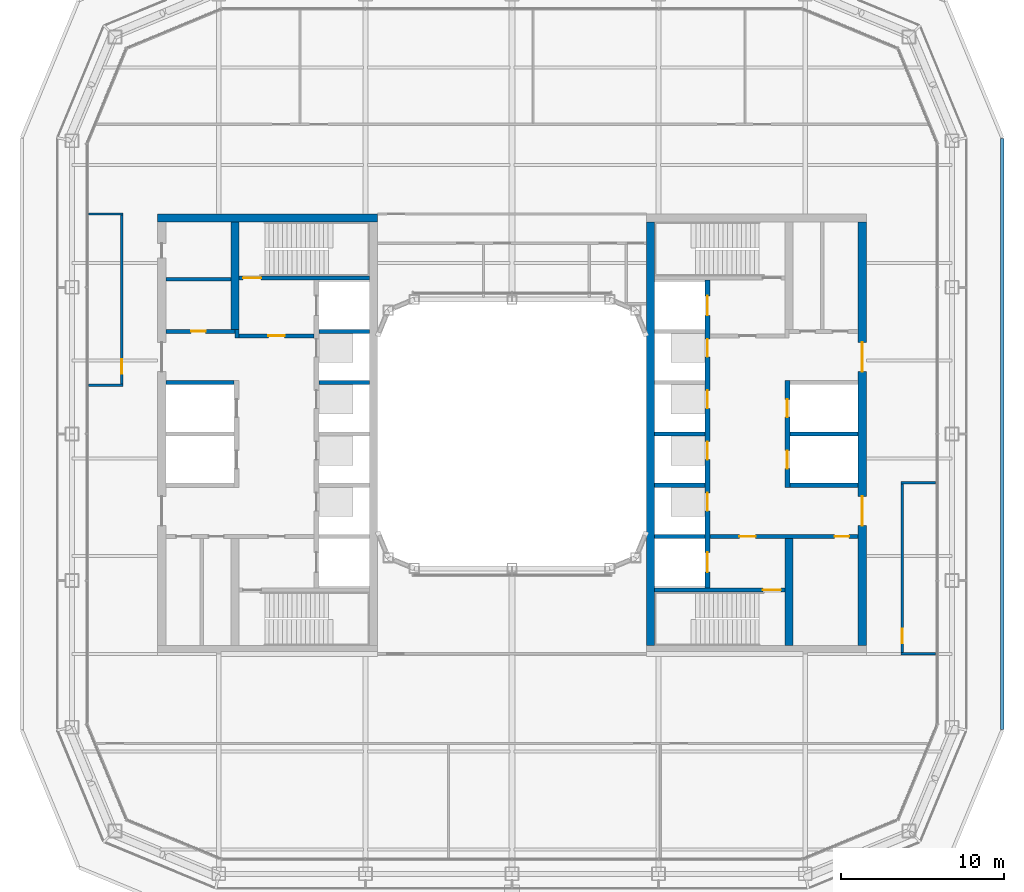
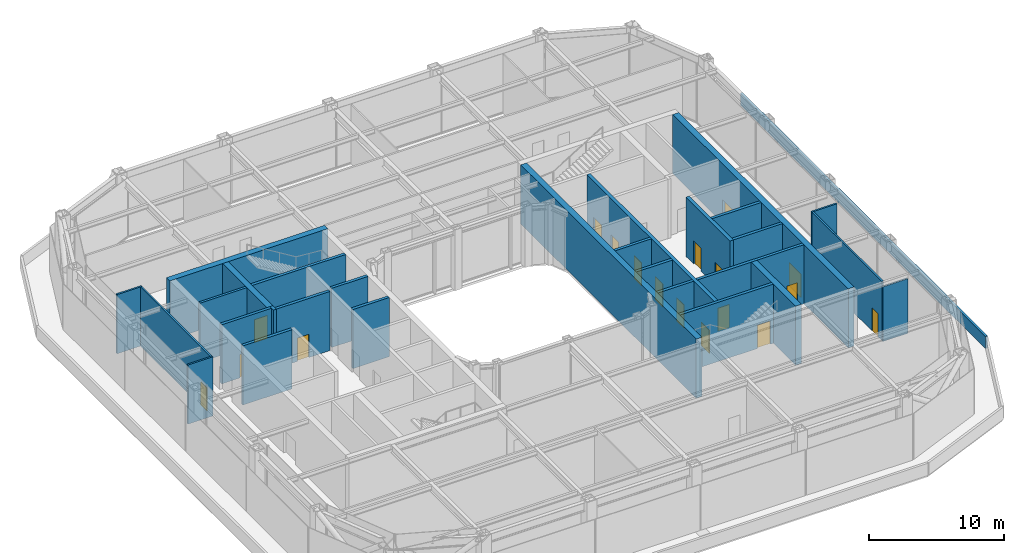
# One storey, part 12 of 19: 29 walls, 18 doors, 18 openings.
"""IFC4 building model written with IfcOpenShell, lengths in metres."""

from ifc_helpers import new_model, si_unit, direction, frame, frame_2d, origin, place, context, subcontext, project, spatial, rectangle, extrude, material, layer, layer_set, type_object, element, fill, save


model = new_model("IFC4")

# Units and contexts
model_context = context("Model", 3, precision=1e-05, world=origin(), true_north=direction((0.0, 1.0)))
body_context = subcontext(model_context, "Body", "Model", "MODEL_VIEW")
ifc_project = project(units=[si_unit("LENGTHUNIT", "METRE"), si_unit("AREAUNIT", "SQUARE_METRE"), si_unit("VOLUMEUNIT", "CUBIC_METRE"), si_unit("PLANEANGLEUNIT", "RADIAN"), si_unit("MASSUNIT", "GRAM", prefix="KILO")], contexts=[model_context])

# Site, building, storey
site_placement = place(None, origin())
site = spatial("IfcSite", under=ifc_project, at=site_placement, CompositionType="ELEMENT")
building_placement = place(site_placement, origin())
building = spatial("IfcBuilding", under=site, at=building_placement, Name="Siwar Civic Tower", CompositionType="ELEMENT")
storey_placement = place(building_placement, frame((0.0, 0.0, 187.199951171875)))
storey = spatial("IfcBuildingStorey", under=building, at=storey_placement, Name="L40", CompositionType="ELEMENT", Elevation=187.199951171875)

# Walls
ifc_material_1 = material(Name="Gypsum board on steel studs", Category="steel")
ifc_layer_1 = layer(ifc_material_1, 0.14990234375)
ifc_layer_set_1 = layer_set([ifc_layer_1], Name="Gypsum board on steel studs")
wall_type_1 = type_object("IfcWallType", Name="COMPARTMENT PARTITION 150 EI 60", PredefinedType="PARTITIONING", material=ifc_layer_set_1)
wall_1_placement = place(storey_placement, frame((23.875, -13.5, 0.0), z_axis=(0.0, 0.0, 1.0), x_axis=(1.0, 0.0, 0.0)))
element("IfcWall", 1, at=wall_1_placement, inside=storey, type_object=wall_type_1, Name="L40/wall/P03", PredefinedType="PARTITIONING", context=body_context, shape_type="SweptSolid", body=[
    extrude(rectangle(XDim=2.135009765625, YDim=0.14990234375, at=frame_2d((1.0673828125, 0.0))), origin(), (0.0, 0.0, 1.0), 4.949951171875),
])
for number, where, z_axis, x_axis, name in (
    (2, (23.875, -3.0, 0.0), (0.0, 0.0, 1.0), (1.0, 0.0, 0.0), "L40/wall/P04"),
    (3, (-26.010009765625, 3.0, 0.0), (0.0, 0.0, 1.0), (1.0, 0.0, 0.0), "L40/wall/P05"),
    (4, (-26.010009765625, 13.5, 0.0), (0.0, 0.0, 1.0), (1.0, 0.0, 0.0), "L40/wall/P10"),
):
    element("IfcWall", number, at=place(storey_placement, frame(where, z_axis=z_axis, x_axis=x_axis)), inside=storey, type_object=wall_type_1, Name=name, PredefinedType="PARTITIONING", context=body_context, shape_type="SweptSolid", body=[
        extrude(rectangle(XDim=2.135009765625, YDim=0.14990234375, at=frame_2d((1.0673828125, 0.0))), origin(), (0.0, 0.0, 1.0), 5.35009765625),
    ])

# Wall, opening, door
wall_2_placement = place(storey_placement, frame((-23.949951171875, 3.074951171875, 0.0), z_axis=(0.0, 0.0, 1.0), x_axis=(0.0, 1.0, 0.0)))
wall_2 = element("IfcWall", 5, at=wall_2_placement, inside=storey, type_object=wall_type_1, Name="L40/wall/P12", PredefinedType="PARTITIONING", context=body_context, shape_type="SweptSolid", body=[
    extrude(rectangle(XDim=10.35009765625, YDim=0.14990234375, at=frame_2d((5.175048828125, 0.0))), origin(), (0.0, 0.0, 1.0), 5.35009765625),
])
opening_1_placement = place(wall_2_placement, frame((0.625, 0.0, 0.0)))
opening_1 = element("IfcOpeningElement", 6, at=opening_1_placement, cuts=wall_2, Name="Opening D4", PredefinedType="OPENING", context=body_context, shape_type="SweptSolid", body=[
    extrude(rectangle(XDim=0.89990234375, YDim=2.10009765625, at=frame_2d((0.449951171875, 1.050048828125))), frame((0.0, 0.0849609375, 0.0), z_axis=(0.0, -1.0, 0.0), x_axis=(1.0, 0.0, 0.0)), (0.0, 0.0, 1.0), 0.169921875),
])
ifc_material_2 = material(Name="Timber, painted", Category="wood")
door_type_1 = type_object("IfcDoorType", Name="DOOR 900 X 2100 FD60", OperationType="SINGLE_SWING_LEFT", PredefinedType="DOOR", material=ifc_material_2)
door_1_placement = place(opening_1_placement, origin())
door_1 = element("IfcDoor", 7, at=door_1_placement, inside=storey, type_object=door_type_1, Name="L40-D14", OperationType="SINGLE_SWING_RIGHT", OverallHeight=2.10009765625, OverallWidth=0.89990234375, PredefinedType="DOOR", context=body_context, shape_type="SweptSolid", body=[
    extrude(rectangle(XDim=0.89990234375, YDim=2.10009765625, at=frame_2d((0.449951171875, 1.050048828125))), frame((0.0, 0.02490234375, 0.0), z_axis=(0.0, -1.0, 0.0), x_axis=(1.0, 0.0, 0.0)), (0.0, 0.0, 1.0), 0.050048828125),
])
fill(opening_1, door_1)

wall_3_placement = place(storey_placement, frame((23.949951171875, -13.425048828125, 0.0), z_axis=(0.0, 0.0, 1.0), x_axis=(0.0, 1.0, 0.0)))
wall_3 = element("IfcWall", 8, at=wall_3_placement, inside=storey, type_object=wall_type_1, Name="L40/wall/P21", PredefinedType="PARTITIONING", context=body_context, shape_type="SweptSolid", body=[
    extrude(rectangle(XDim=10.35009765625, YDim=0.14990234375, at=frame_2d((5.175048828125, 0.0))), origin(), (0.0, 0.0, 1.0), 5.35009765625),
])
opening_2_placement = place(wall_3_placement, frame((0.574951171875, 0.0, 0.0)))
opening_2 = element("IfcOpeningElement", 9, at=opening_2_placement, cuts=wall_3, Name="Opening D4", PredefinedType="OPENING", context=body_context, shape_type="SweptSolid", body=[
    extrude(rectangle(XDim=0.89990234375, YDim=2.10009765625, at=frame_2d((0.449951171875, 1.050048828125))), frame((0.0, 0.0849609375, 0.0), z_axis=(0.0, -1.0, 0.0), x_axis=(1.0, 0.0, 0.0)), (0.0, 0.0, 1.0), 0.169921875),
])
door_2_placement = place(opening_2_placement, origin())
door_2 = element("IfcDoor", 10, at=door_2_placement, inside=storey, type_object=door_type_1, Name="L40-D15", OperationType="SINGLE_SWING_LEFT", OverallHeight=2.10009765625, OverallWidth=0.89990234375, PredefinedType="DOOR", context=body_context, shape_type="SweptSolid", body=[
    extrude(rectangle(XDim=0.89990234375, YDim=2.10009765625, at=frame_2d((0.449951171875, 1.050048828125))), frame((0.0, 0.02490234375, 0.0), z_axis=(0.0, -1.0, 0.0), x_axis=(1.0, 0.0, 0.0)), (0.0, 0.0, 1.0), 0.050048828125),
])
fill(opening_2, door_2)

# Wall
ifc_material_3 = material(Name="Gypsum board on steel studs", Category="steel")
ifc_layer_2 = layer(ifc_material_3, 0.199951171875)
ifc_layer_set_2 = layer_set([ifc_layer_2], Name="Gypsum board on steel studs")
wall_type_2 = type_object("IfcWallType", Name="CORE-PARTITION-200", PredefinedType="PARTITIONING", material=ifc_layer_set_2)
wall_4_placement = place(storey_placement, frame((-17.25, 9.5, 0.0), z_axis=(0.0, 0.0, 1.0), x_axis=(-1.0, 0.0, 0.0)))
element("IfcWall", 11, at=wall_4_placement, inside=storey, type_object=wall_type_2, Name="Core partition W", PredefinedType="PARTITIONING", context=body_context, shape_type="SweptSolid", body=[
    extrude(rectangle(XDim=4.0, YDim=0.199951171875, at=frame_2d((2.0, 0.0))), origin(), (0.0, 0.0, 1.0), 5.35009765625),
])

# Wall, opening, door
ifc_material_4 = material(Name="Concrete C60/75", Category="concrete")
ifc_layer_3 = layer(ifc_material_4, 0.25)
ifc_layer_set_3 = layer_set([ifc_layer_3], Name="Concrete C60/75")
wall_type_3 = type_object("IfcWallType", Name="CORE-WALL-RC250", PredefinedType="SHEAR", material=ifc_layer_set_3)
wall_5_placement = place(storey_placement, frame((-12.14990234375, 6.02490234375, 0.0), z_axis=(0.0, 0.0, 1.0), x_axis=(-1.0, 0.0, 0.0)))
wall_5 = element("IfcWall", 12, at=wall_5_placement, inside=storey, type_object=wall_type_3, Name="Core wall W", PredefinedType="SHEAR", context=body_context, shape_type="SweptSolid", body=[
    extrude(rectangle(XDim=4.60009765625, YDim=0.25, at=frame_2d((2.300048828125, 0.0))), origin(), (0.0, 0.0, 1.0), 5.35009765625),
])
opening_3_placement = place(wall_5_placement, frame((1.800048828125, 0.0, 0.0)))
opening_3 = element("IfcOpeningElement", 13, at=opening_3_placement, cuts=wall_5, Name="Opening L40-CW01", PredefinedType="OPENING", context=body_context, shape_type="SweptSolid", body=[
    extrude(rectangle(XDim=1.0, YDim=2.10009765625, at=frame_2d((0.5, 1.050048828125))), frame((0.0, 0.135009765625, 0.0), z_axis=(0.0, -1.0, 0.0), x_axis=(1.0, 0.0, 0.0)), (0.0, 0.0, 1.0), 0.27001953125),
])
ifc_material_5 = material(Name="Steel door leaf", Category="steel")
door_type_2 = type_object("IfcDoorType", Name="CORE-DOOR-FD30S", OperationType="SINGLE_SWING_LEFT", PredefinedType="DOOR", material=ifc_material_5)
door_3_placement = place(opening_3_placement, origin())
door_3 = element("IfcDoor", 14, at=door_3_placement, inside=storey, type_object=door_type_2, Name="Firefighting lobby door L40-CW01", OperationType="SINGLE_SWING_LEFT", OverallHeight=2.10009765625, OverallWidth=1.0, PredefinedType="DOOR", context=body_context, shape_type="SweptSolid", body=[
    extrude(rectangle(XDim=1.0, YDim=2.10009765625, at=frame_2d((0.5, 1.050048828125))), frame((0.0, 0.02490234375, 0.0), z_axis=(0.0, -1.0, 0.0), x_axis=(1.0, 0.0, 0.0)), (0.0, 0.0, 1.0), 0.050048828125),
])
fill(opening_3, door_3)

# Wall
wall_6_placement = place(storey_placement, frame((-16.875, 5.89990234375, 0.0), z_axis=(0.0, 0.0, 1.0), x_axis=(0.0, 1.0, 0.0)))
element("IfcWall", 15, at=wall_6_placement, inside=storey, type_object=wall_type_3, Name="Core wall W", PredefinedType="SHEAR", context=body_context, shape_type="SweptSolid", body=[
    extrude(rectangle(XDim=0.525146484375, YDim=0.25, at=frame_2d((0.2626953125, 0.0))), origin(), (0.0, 0.0, 1.0), 5.35009765625),
])

# Wall, opening, door
wall_7_placement = place(storey_placement, frame((-17.0, 6.300048828125, 0.0), z_axis=(0.0, 0.0, 1.0), x_axis=(-1.0, 0.0, 0.0)))
wall_7 = element("IfcWall", 16, at=wall_7_placement, inside=storey, type_object=wall_type_3, Name="Core wall W", PredefinedType="SHEAR", context=body_context, shape_type="SweptSolid", body=[
    extrude(rectangle(XDim=4.25, YDim=0.25, at=frame_2d((2.125, 0.0))), origin(), (0.0, 0.0, 1.0), 5.35009765625),
])
opening_4_placement = place(wall_7_placement, frame((1.800048828125, 0.0, 0.0)))
opening_4 = element("IfcOpeningElement", 17, at=opening_4_placement, cuts=wall_7, Name="Opening L40-CW15", PredefinedType="OPENING", context=body_context, shape_type="SweptSolid", body=[
    extrude(rectangle(XDim=0.89990234375, YDim=2.10009765625, at=frame_2d((0.449951171875, 1.050048828125))), frame((0.0, 0.135009765625, 0.0), z_axis=(0.0, -1.0, 0.0), x_axis=(1.0, 0.0, 0.0)), (0.0, 0.0, 1.0), 0.27001953125),
])
ifc_material_6 = material(Name="Steel door leaf", Category="steel")
door_type_3 = type_object("IfcDoorType", Name="CORE-DOOR-ROOM", OperationType="SINGLE_SWING_LEFT", PredefinedType="DOOR", material=ifc_material_6)
door_4_placement = place(opening_4_placement, origin())
door_4 = element("IfcDoor", 18, at=door_4_placement, inside=storey, type_object=door_type_3, Name="Core room door L40-CW15", OperationType="SINGLE_SWING_LEFT", OverallHeight=2.10009765625, OverallWidth=0.89990234375, PredefinedType="DOOR", context=body_context, shape_type="SweptSolid", body=[
    extrude(rectangle(XDim=0.89990234375, YDim=2.10009765625, at=frame_2d((0.449951171875, 1.050048828125))), frame((0.0, 0.02490234375, 0.0), z_axis=(0.0, -1.0, 0.0), x_axis=(1.0, 0.0, 0.0)), (0.0, 0.0, 1.0), 0.050048828125),
])
fill(opening_4, door_4)

# Walls
wall_8_placement = place(storey_placement, frame((-17.050048828125, 3.14990234375, 0.0), z_axis=(0.0, 0.0, 1.0), x_axis=(-1.0, 0.0, 0.0)))
element("IfcWall", 19, at=wall_8_placement, inside=storey, type_object=wall_type_3, Name="Core wall W", PredefinedType="SHEAR", context=body_context, shape_type="SweptSolid", body=[
    extrude(rectangle(XDim=4.199951171875, YDim=0.25, at=frame_2d((2.10009765625, 0.0))), origin(), (0.0, 0.0, 1.0), 5.35009765625),
])
for number, where, z_axis, x_axis, name in (
    (20, (-8.75, 3.14990234375, 0.0), (0.0, 0.0, 1.0), (-1.0, 0.0, 0.0), "Core wall W"),
    (21, (-8.75, 6.300048828125, 0.0), (0.0, 0.0, 1.0), (-1.0, 0.0, 0.0), "Core wall W"),
):
    element("IfcWall", number, at=place(storey_placement, frame(where, z_axis=z_axis, x_axis=x_axis)), inside=storey, type_object=wall_type_3, Name=name, PredefinedType="SHEAR", context=body_context, shape_type="SweptSolid", body=[
        extrude(rectangle(XDim=3.10009765625, YDim=0.25, at=frame_2d((1.550048828125, 0.0))), origin(), (0.0, 0.0, 1.0), 5.35009765625),
    ])

# Wall, opening, door
wall_9_placement = place(storey_placement, frame((-8.75, 9.574951171875, 0.0), z_axis=(0.0, 0.0, 1.0), x_axis=(-1.0, 0.0, 0.0)))
wall_9 = element("IfcWall", 22, at=wall_9_placement, inside=storey, type_object=wall_type_3, Name="Core wall W", PredefinedType="SHEAR", context=body_context, shape_type="SweptSolid", body=[
    extrude(rectangle(XDim=8.0, YDim=0.25, at=frame_2d((4.0, 0.0))), origin(), (0.0, 0.0, 1.0), 5.35009765625),
])
opening_5_placement = place(wall_9_placement, frame((6.64990234375, 0.0, 0.0)))
opening_5 = element("IfcOpeningElement", 23, at=opening_5_placement, cuts=wall_9, Name="Opening L40-CW03", PredefinedType="OPENING", context=body_context, shape_type="SweptSolid", body=[
    extrude(rectangle(XDim=1.10009765625, YDim=2.10009765625, at=frame_2d((0.550048828125, 1.050048828125))), frame((0.0, 0.135009765625, 0.0), z_axis=(0.0, -1.0, 0.0), x_axis=(1.0, 0.0, 0.0)), (0.0, 0.0, 1.0), 0.27001953125),
])
ifc_material_7 = material(Name="Steel door leaf", Category="steel")
door_type_4 = type_object("IfcDoorType", Name="CORE-DOOR-FD60S", OperationType="SINGLE_SWING_LEFT", PredefinedType="DOOR", material=ifc_material_7)
door_5_placement = place(opening_5_placement, origin())
door_5 = element("IfcDoor", 24, at=door_5_placement, inside=storey, type_object=door_type_4, Name="Stair door L40-CW03", OperationType="SINGLE_SWING_RIGHT", OverallHeight=2.10009765625, OverallWidth=1.10009765625, PredefinedType="DOOR", context=body_context, shape_type="SweptSolid", body=[
    extrude(rectangle(XDim=1.10009765625, YDim=2.10009765625, at=frame_2d((0.550048828125, 1.050048828125))), frame((0.0, 0.02490234375, 0.0), z_axis=(0.0, -1.0, 0.0), x_axis=(1.0, 0.0, 0.0)), (0.0, 0.0, 1.0), 0.050048828125),
])
fill(opening_5, door_5)

# Wall, openings, doors
wall_10_placement = place(storey_placement, frame((12.14990234375, -6.300048828125, 0.0), z_axis=(0.0, 0.0, 1.0), x_axis=(1.0, 0.0, 0.0)))
wall_10 = element("IfcWall", 25, at=wall_10_placement, inside=storey, type_object=wall_type_3, Name="Core wall E", PredefinedType="SHEAR", context=body_context, shape_type="SweptSolid", body=[
    extrude(rectangle(XDim=9.10009765625, YDim=0.25, at=frame_2d((4.550048828125, 0.0))), origin(), (0.0, 0.0, 1.0), 5.35009765625),
])
opening_6_placement = place(wall_10_placement, frame((1.800048828125, 0.0, 0.0)))
opening_6 = element("IfcOpeningElement", 26, at=opening_6_placement, cuts=wall_10, Name="Opening L40-CE02", PredefinedType="OPENING", context=body_context, shape_type="SweptSolid", body=[
    extrude(rectangle(XDim=1.0, YDim=2.10009765625, at=frame_2d((0.5, 1.050048828125))), frame((0.0, 0.135009765625, 0.0), z_axis=(0.0, -1.0, 0.0), x_axis=(1.0, 0.0, 0.0)), (0.0, 0.0, 1.0), 0.27001953125),
])
opening_7_placement = place(wall_10_placement, frame((7.64990234375, 0.0, 0.0)))
opening_7 = element("IfcOpeningElement", 27, at=opening_7_placement, cuts=wall_10, Name="Opening L40-CE17", PredefinedType="OPENING", context=body_context, shape_type="SweptSolid", body=[
    extrude(rectangle(XDim=0.89990234375, YDim=2.10009765625, at=frame_2d((0.449951171875, 1.050048828125))), frame((0.0, 0.135009765625, 0.0), z_axis=(0.0, -1.0, 0.0), x_axis=(1.0, 0.0, 0.0)), (0.0, 0.0, 1.0), 0.27001953125),
])
door_6_placement = place(opening_6_placement, origin())
door_6 = element("IfcDoor", 28, at=door_6_placement, inside=storey, type_object=door_type_2, Name="Service lobby door L40-CE02", OperationType="SINGLE_SWING_LEFT", OverallHeight=2.10009765625, OverallWidth=1.0, PredefinedType="DOOR", context=body_context, shape_type="SweptSolid", body=[
    extrude(rectangle(XDim=1.0, YDim=2.10009765625, at=frame_2d((0.5, 1.050048828125))), frame((0.0, 0.02490234375, 0.0), z_axis=(0.0, -1.0, 0.0), x_axis=(1.0, 0.0, 0.0)), (0.0, 0.0, 1.0), 0.050048828125),
])
fill(opening_6, door_6)
door_7_placement = place(opening_7_placement, origin())
door_7 = element("IfcDoor", 29, at=door_7_placement, inside=storey, type_object=door_type_3, Name="Core room door L40-CE17", OperationType="SINGLE_SWING_RIGHT", OverallHeight=2.10009765625, OverallWidth=0.89990234375, PredefinedType="DOOR", context=body_context, shape_type="SweptSolid", body=[
    extrude(rectangle(XDim=0.89990234375, YDim=2.10009765625, at=frame_2d((0.449951171875, 1.050048828125))), frame((0.0, 0.02490234375, 0.0), z_axis=(0.0, -1.0, 0.0), x_axis=(1.0, 0.0, 0.0)), (0.0, 0.0, 1.0), 0.050048828125),
])
fill(opening_7, door_7)

# Walls
for number, where, z_axis, x_axis, name in (
    (30, (17.050048828125, 0.0, 0.0), (0.0, 0.0, 1.0), (1.0, 0.0, 0.0), "Core wall E"),
    (31, (17.050048828125, -3.14990234375, 0.0), (0.0, 0.0, 1.0), (1.0, 0.0, 0.0), "Core wall E"),
):
    element("IfcWall", number, at=place(storey_placement, frame(where, z_axis=z_axis, x_axis=x_axis)), inside=storey, type_object=wall_type_3, Name=name, PredefinedType="SHEAR", context=body_context, shape_type="SweptSolid", body=[
        extrude(rectangle(XDim=4.199951171875, YDim=0.25, at=frame_2d((2.10009765625, 0.0))), origin(), (0.0, 0.0, 1.0), 5.35009765625),
    ])
for number, where, z_axis, x_axis, name in (
    (32, (8.75, 0.0, 0.0), (0.0, 0.0, 1.0), (1.0, 0.0, 0.0), "Core wall E"),
    (33, (8.75, -3.14990234375, 0.0), (0.0, 0.0, 1.0), (1.0, 0.0, 0.0), "Core wall E"),
    (34, (8.75, -6.300048828125, 0.0), (0.0, 0.0, 1.0), (1.0, 0.0, 0.0), "Core wall E"),
):
    element("IfcWall", number, at=place(storey_placement, frame(where, z_axis=z_axis, x_axis=x_axis)), inside=storey, type_object=wall_type_3, Name=name, PredefinedType="SHEAR", context=body_context, shape_type="SweptSolid", body=[
        extrude(rectangle(XDim=3.10009765625, YDim=0.25, at=frame_2d((1.550048828125, 0.0))), origin(), (0.0, 0.0, 1.0), 5.35009765625),
    ])

# Wall, opening, door
wall_11_placement = place(storey_placement, frame((8.75, -9.574951171875, 0.0), z_axis=(0.0, 0.0, 1.0), x_axis=(1.0, 0.0, 0.0)))
wall_11 = element("IfcWall", 35, at=wall_11_placement, inside=storey, type_object=wall_type_3, Name="Core wall E", PredefinedType="SHEAR", context=body_context, shape_type="SweptSolid", body=[
    extrude(rectangle(XDim=8.0, YDim=0.25, at=frame_2d((4.0, 0.0))), origin(), (0.0, 0.0, 1.0), 5.35009765625),
])
opening_8_placement = place(wall_11_placement, frame((6.64990234375, 0.0, 0.0)))
opening_8 = element("IfcOpeningElement", 36, at=opening_8_placement, cuts=wall_11, Name="Opening L40-CE04", PredefinedType="OPENING", context=body_context, shape_type="SweptSolid", body=[
    extrude(rectangle(XDim=1.10009765625, YDim=2.10009765625, at=frame_2d((0.550048828125, 1.050048828125))), frame((0.0, 0.135009765625, 0.0), z_axis=(0.0, -1.0, 0.0), x_axis=(1.0, 0.0, 0.0)), (0.0, 0.0, 1.0), 0.27001953125),
])
door_8_placement = place(opening_8_placement, origin())
door_8 = element("IfcDoor", 37, at=door_8_placement, inside=storey, type_object=door_type_4, Name="Stair door L40-CE04", OperationType="SINGLE_SWING_RIGHT", OverallHeight=2.10009765625, OverallWidth=1.10009765625, PredefinedType="DOOR", context=body_context, shape_type="SweptSolid", body=[
    extrude(rectangle(XDim=1.10009765625, YDim=2.10009765625, at=frame_2d((0.550048828125, 1.050048828125))), frame((0.0, 0.02490234375, 0.0), z_axis=(0.0, -1.0, 0.0), x_axis=(1.0, 0.0, 0.0)), (0.0, 0.0, 1.0), 0.050048828125),
])
fill(opening_8, door_8)

# Wall, openings, doors
ifc_material_8 = material(Name="Concrete C60/75", Category="concrete")
ifc_layer_4 = layer(ifc_material_8, 0.300048828125)
ifc_layer_set_4 = layer_set([ifc_layer_4], Name="Concrete C60/75")
wall_type_4 = type_object("IfcWallType", Name="CORE-WALL-RC300", PredefinedType="SHEAR", material=ifc_layer_set_4)
wall_12_placement = place(storey_placement, frame((12.0, -9.449951171875, 0.0), z_axis=(0.0, 0.0, 1.0), x_axis=(0.0, 1.0, 0.0)))
wall_12 = element("IfcWall", 38, at=wall_12_placement, inside=storey, type_object=wall_type_4, Name="Core wall E", PredefinedType="SHEAR", context=body_context, shape_type="SweptSolid", body=[
    extrude(rectangle(XDim=18.89990234375, YDim=0.300048828125, at=frame_2d((9.449951171875, 0.0))), origin(), (0.0, 0.0, 1.0), 5.35009765625),
])
opening_9_placement = place(wall_12_placement, frame((4.72509765625, 0.0, 0.0)))
opening_9 = element("IfcOpeningElement", 39, at=opening_9_placement, cuts=wall_12, Name="Opening L40-CE07", PredefinedType="OPENING", context=body_context, shape_type="SweptSolid", body=[
    extrude(rectangle(XDim=1.10009765625, YDim=2.10009765625, at=frame_2d((0.550048828125, 1.050048828125))), frame((0.0, 0.16015625, 0.0), z_axis=(0.0, -1.0, 0.0), x_axis=(1.0, 0.0, 0.0)), (0.0, 0.0, 1.0), 0.320068359375),
])
opening_10_placement = place(wall_12_placement, frame((7.875, 0.0, 0.0)))
opening_10 = element("IfcOpeningElement", 40, at=opening_10_placement, cuts=wall_12, Name="Opening L40-CE08", PredefinedType="OPENING", context=body_context, shape_type="SweptSolid", body=[
    extrude(rectangle(XDim=1.10009765625, YDim=2.10009765625, at=frame_2d((0.550048828125, 1.050048828125))), frame((0.0, 0.16015625, 0.0), z_axis=(0.0, -1.0, 0.0), x_axis=(1.0, 0.0, 0.0)), (0.0, 0.0, 1.0), 0.320068359375),
])
opening_11_placement = place(wall_12_placement, frame((11.02490234375, 0.0, 0.0)))
opening_11 = element("IfcOpeningElement", 41, at=opening_11_placement, cuts=wall_12, Name="Opening L40-CE09", PredefinedType="OPENING", context=body_context, shape_type="SweptSolid", body=[
    extrude(rectangle(XDim=1.10009765625, YDim=2.10009765625, at=frame_2d((0.550048828125, 1.050048828125))), frame((0.0, 0.16015625, 0.0), z_axis=(0.0, -1.0, 0.0), x_axis=(1.0, 0.0, 0.0)), (0.0, 0.0, 1.0), 0.320068359375),
])
opening_12_placement = place(wall_12_placement, frame((14.175048828125, 0.0, 0.0)))
opening_12 = element("IfcOpeningElement", 42, at=opening_12_placement, cuts=wall_12, Name="Opening L40-CE10", PredefinedType="OPENING", context=body_context, shape_type="SweptSolid", body=[
    extrude(rectangle(XDim=1.10009765625, YDim=2.10009765625, at=frame_2d((0.550048828125, 1.050048828125))), frame((0.0, 0.16015625, 0.0), z_axis=(0.0, -1.0, 0.0), x_axis=(1.0, 0.0, 0.0)), (0.0, 0.0, 1.0), 0.320068359375),
])
opening_13_placement = place(wall_12_placement, frame((16.72509765625, 0.0, 0.0)))
opening_13 = element("IfcOpeningElement", 43, at=opening_13_placement, cuts=wall_12, Name="Opening L40-CE13", PredefinedType="OPENING", context=body_context, shape_type="SweptSolid", body=[
    extrude(rectangle(XDim=1.199951171875, YDim=2.10009765625, at=frame_2d((0.60009765625, 1.050048828125))), frame((0.0, 0.16015625, 0.0), z_axis=(0.0, -1.0, 0.0), x_axis=(1.0, 0.0, 0.0)), (0.0, 0.0, 1.0), 0.320068359375),
])
opening_14_placement = place(wall_12_placement, frame((0.97509765625, 0.0, 0.0)))
opening_14 = element("IfcOpeningElement", 44, at=opening_14_placement, cuts=wall_12, Name="Opening L40-CE14", PredefinedType="OPENING", context=body_context, shape_type="SweptSolid", body=[
    extrude(rectangle(XDim=1.199951171875, YDim=2.10009765625, at=frame_2d((0.60009765625, 1.050048828125))), frame((0.0, 0.16015625, 0.0), z_axis=(0.0, -1.0, 0.0), x_axis=(1.0, 0.0, 0.0)), (0.0, 0.0, 1.0), 0.320068359375),
])
ifc_material_9 = material(Name="Steel door leaf", Category="steel")
door_type_5 = type_object("IfcDoorType", Name="CORE-DOOR-LD", OperationType="DOUBLE_DOOR_SLIDING", PredefinedType="DOOR", material=ifc_material_9)
door_9_placement = place(opening_9_placement, origin())
door_9 = element("IfcDoor", 45, at=door_9_placement, inside=storey, type_object=door_type_5, Name="Landing door HR5 L40-CE07", OperationType="DOUBLE_DOOR_SLIDING", OverallHeight=2.10009765625, OverallWidth=1.10009765625, PredefinedType="DOOR", context=body_context, shape_type="SweptSolid", body=[
    extrude(rectangle(XDim=1.10009765625, YDim=2.10009765625, at=frame_2d((0.550048828125, 1.050048828125))), frame((0.0, 0.02490234375, 0.0), z_axis=(0.0, -1.0, 0.0), x_axis=(1.0, 0.0, 0.0)), (0.0, 0.0, 1.0), 0.050048828125),
])
fill(opening_9, door_9)
door_10_placement = place(opening_10_placement, origin())
door_10 = element("IfcDoor", 46, at=door_10_placement, inside=storey, type_object=door_type_5, Name="Landing door HR6 L40-CE08", OperationType="DOUBLE_DOOR_SLIDING", OverallHeight=2.10009765625, OverallWidth=1.10009765625, PredefinedType="DOOR", context=body_context, shape_type="SweptSolid", body=[
    extrude(rectangle(XDim=1.10009765625, YDim=2.10009765625, at=frame_2d((0.550048828125, 1.050048828125))), frame((0.0, 0.02490234375, 0.0), z_axis=(0.0, -1.0, 0.0), x_axis=(1.0, 0.0, 0.0)), (0.0, 0.0, 1.0), 0.050048828125),
])
fill(opening_10, door_10)
door_11_placement = place(opening_11_placement, origin())
door_11 = element("IfcDoor", 47, at=door_11_placement, inside=storey, type_object=door_type_5, Name="Landing door HR7 L40-CE09", OperationType="DOUBLE_DOOR_SLIDING", OverallHeight=2.10009765625, OverallWidth=1.10009765625, PredefinedType="DOOR", context=body_context, shape_type="SweptSolid", body=[
    extrude(rectangle(XDim=1.10009765625, YDim=2.10009765625, at=frame_2d((0.550048828125, 1.050048828125))), frame((0.0, 0.02490234375, 0.0), z_axis=(0.0, -1.0, 0.0), x_axis=(1.0, 0.0, 0.0)), (0.0, 0.0, 1.0), 0.050048828125),
])
fill(opening_11, door_11)
door_12_placement = place(opening_12_placement, origin())
door_12 = element("IfcDoor", 48, at=door_12_placement, inside=storey, type_object=door_type_5, Name="Landing door HR8 L40-CE10", OperationType="DOUBLE_DOOR_SLIDING", OverallHeight=2.10009765625, OverallWidth=1.10009765625, PredefinedType="DOOR", context=body_context, shape_type="SweptSolid", body=[
    extrude(rectangle(XDim=1.10009765625, YDim=2.10009765625, at=frame_2d((0.550048828125, 1.050048828125))), frame((0.0, 0.02490234375, 0.0), z_axis=(0.0, -1.0, 0.0), x_axis=(1.0, 0.0, 0.0)), (0.0, 0.0, 1.0), 0.050048828125),
])
fill(opening_12, door_12)
ifc_material_10 = material(Name="Steel door leaf", Category="steel")
door_type_6 = type_object("IfcDoorType", Name="CORE-DOOR-LDW", OperationType="DOUBLE_DOOR_SLIDING", PredefinedType="DOOR", material=ifc_material_10)
door_13_placement = place(opening_13_placement, origin())
door_13 = element("IfcDoor", 49, at=door_13_placement, inside=storey, type_object=door_type_6, Name="Landing door FF2 L40-CE13", OperationType="DOUBLE_DOOR_SLIDING", OverallHeight=2.10009765625, OverallWidth=1.199951171875, PredefinedType="DOOR", context=body_context, shape_type="SweptSolid", body=[
    extrude(rectangle(XDim=1.199951171875, YDim=2.10009765625, at=frame_2d((0.60009765625, 1.050048828125))), frame((0.0, 0.02490234375, 0.0), z_axis=(0.0, -1.0, 0.0), x_axis=(1.0, 0.0, 0.0)), (0.0, 0.0, 1.0), 0.050048828125),
])
fill(opening_13, door_13)
door_14_placement = place(opening_14_placement, origin())
door_14 = element("IfcDoor", 50, at=door_14_placement, inside=storey, type_object=door_type_6, Name="Landing door SV2 L40-CE14", OperationType="DOUBLE_DOOR_SLIDING", OverallHeight=2.10009765625, OverallWidth=1.199951171875, PredefinedType="DOOR", context=body_context, shape_type="SweptSolid", body=[
    extrude(rectangle(XDim=1.199951171875, YDim=2.10009765625, at=frame_2d((0.60009765625, 1.050048828125))), frame((0.0, 0.02490234375, 0.0), z_axis=(0.0, -1.0, 0.0), x_axis=(1.0, 0.0, 0.0)), (0.0, 0.0, 1.0), 0.050048828125),
])
fill(opening_14, door_14)

wall_13_placement = place(storey_placement, frame((16.89990234375, -3.27490234375, 0.0), z_axis=(0.0, 0.0, 1.0), x_axis=(0.0, 1.0, 0.0)))
wall_13 = element("IfcWall", 51, at=wall_13_placement, inside=storey, type_object=wall_type_4, Name="Core wall E", PredefinedType="SHEAR", context=body_context, shape_type="SweptSolid", body=[
    extrude(rectangle(XDim=6.5498046875, YDim=0.300048828125, at=frame_2d((3.27490234375, 0.0))), origin(), (0.0, 0.0, 1.0), 5.35009765625),
])
opening_15_placement = place(wall_13_placement, frame((1.14990234375, 0.0, 0.0)))
opening_15 = element("IfcOpeningElement", 52, at=opening_15_placement, cuts=wall_13, Name="Opening L40-CE11", PredefinedType="OPENING", context=body_context, shape_type="SweptSolid", body=[
    extrude(rectangle(XDim=1.10009765625, YDim=2.10009765625, at=frame_2d((0.550048828125, 1.050048828125))), frame((0.0, 0.16015625, 0.0), z_axis=(0.0, -1.0, 0.0), x_axis=(1.0, 0.0, 0.0)), (0.0, 0.0, 1.0), 0.320068359375),
])
opening_16_placement = place(wall_13_placement, frame((4.300048828125, 0.0, 0.0)))
opening_16 = element("IfcOpeningElement", 53, at=opening_16_placement, cuts=wall_13, Name="Opening L40-CE12", PredefinedType="OPENING", context=body_context, shape_type="SweptSolid", body=[
    extrude(rectangle(XDim=1.10009765625, YDim=2.10009765625, at=frame_2d((0.550048828125, 1.050048828125))), frame((0.0, 0.16015625, 0.0), z_axis=(0.0, -1.0, 0.0), x_axis=(1.0, 0.0, 0.0)), (0.0, 0.0, 1.0), 0.320068359375),
])
door_15_placement = place(opening_15_placement, origin())
door_15 = element("IfcDoor", 54, at=door_15_placement, inside=storey, type_object=door_type_5, Name="Landing door SH3 L40-CE11", OperationType="DOUBLE_DOOR_SLIDING", OverallHeight=2.10009765625, OverallWidth=1.10009765625, PredefinedType="DOOR", context=body_context, shape_type="SweptSolid", body=[
    extrude(rectangle(XDim=1.10009765625, YDim=2.10009765625, at=frame_2d((0.550048828125, 1.050048828125))), frame((0.0, 0.02490234375, 0.0), z_axis=(0.0, -1.0, 0.0), x_axis=(1.0, 0.0, 0.0)), (0.0, 0.0, 1.0), 0.050048828125),
])
fill(opening_15, door_15)
door_16_placement = place(opening_16_placement, origin())
door_16 = element("IfcDoor", 55, at=door_16_placement, inside=storey, type_object=door_type_5, Name="Landing door SH4 L40-CE12", OperationType="DOUBLE_DOOR_SLIDING", OverallHeight=2.10009765625, OverallWidth=1.10009765625, PredefinedType="DOOR", context=body_context, shape_type="SweptSolid", body=[
    extrude(rectangle(XDim=1.10009765625, YDim=2.10009765625, at=frame_2d((0.550048828125, 1.050048828125))), frame((0.0, 0.02490234375, 0.0), z_axis=(0.0, -1.0, 0.0), x_axis=(1.0, 0.0, 0.0)), (0.0, 0.0, 1.0), 0.050048828125),
])
fill(opening_16, door_16)

# Walls
ifc_material_11 = material(Name="Concrete C60/75", Category="concrete")
ifc_layer_5 = layer(ifc_material_11, 0.5)
ifc_layer_set_5 = layer_set([ifc_layer_5], Name="Concrete C60/75")
wall_type_5 = type_object("IfcWallType", Name="CORE-WALL-RC500", PredefinedType="SHEAR", material=ifc_layer_set_5)
wall_14_placement = place(storey_placement, frame((-17.0, 6.425048828125, 0.0), z_axis=(0.0, 0.0, 1.0), x_axis=(0.0, 1.0, 0.0)))
element("IfcWall", 56, at=wall_14_placement, inside=storey, type_object=wall_type_5, Name="Core wall W", PredefinedType="SHEAR", context=body_context, shape_type="SweptSolid", body=[
    extrude(rectangle(XDim=6.574951171875, YDim=0.5, at=frame_2d((3.28759765625, 0.0))), origin(), (0.0, 0.0, 1.0), 5.35009765625),
])
wall_15_placement = place(storey_placement, frame((-8.25, 13.25, 0.0), z_axis=(0.0, 0.0, 1.0), x_axis=(-1.0, 0.0, 0.0)))
element("IfcWall", 57, at=wall_15_placement, inside=storey, type_object=wall_type_5, Name="Core wall W", PredefinedType="SHEAR", context=body_context, shape_type="SweptSolid", body=[
    extrude(rectangle(XDim=13.5, YDim=0.5, at=frame_2d((6.75, 0.0))), origin(), (0.0, 0.0, 1.0), 5.35009765625),
])

# Wall, openings, doors
wall_16_placement = place(storey_placement, frame((21.5, -13.0, 0.0), z_axis=(0.0, 0.0, 1.0), x_axis=(0.0, 1.0, 0.0)))
wall_16 = element("IfcWall", 58, at=wall_16_placement, inside=storey, type_object=wall_type_5, Name="Core wall E", PredefinedType="SHEAR", context=body_context, shape_type="SweptSolid", body=[
    extrude(rectangle(XDim=26.0, YDim=0.5, at=frame_2d((13.0, 0.0))), origin(), (0.0, 0.0, 1.0), 5.35009765625),
])
opening_17_placement = place(wall_16_placement, frame((16.824951171875, 0.0, 0.0)))
opening_17 = element("IfcOpeningElement", 59, at=opening_17_placement, cuts=wall_16, Name="Opening L40-CE05", PredefinedType="OPENING", context=body_context, shape_type="SweptSolid", body=[
    extrude(rectangle(XDim=1.800048828125, YDim=2.10009765625, at=frame_2d((0.89990234375, 1.050048828125))), frame((0.0, 0.260009765625, 0.0), z_axis=(0.0, -1.0, 0.0), x_axis=(1.0, 0.0, 0.0)), (0.0, 0.0, 1.0), 0.52001953125),
])
opening_18_placement = place(wall_16_placement, frame((7.375, 0.0, 0.0)))
opening_18 = element("IfcOpeningElement", 60, at=opening_18_placement, cuts=wall_16, Name="Opening L40-CE06", PredefinedType="OPENING", context=body_context, shape_type="SweptSolid", body=[
    extrude(rectangle(XDim=1.800048828125, YDim=2.10009765625, at=frame_2d((0.89990234375, 1.050048828125))), frame((0.0, 0.260009765625, 0.0), z_axis=(0.0, -1.0, 0.0), x_axis=(1.0, 0.0, 0.0)), (0.0, 0.0, 1.0), 0.52001953125),
])
ifc_material_12 = material(Name="Steel door leaf", Category="steel")
door_type_7 = type_object("IfcDoorType", Name="CORE-DOOR-PORT", OperationType="DOUBLE_DOOR_DOUBLE_SWING", PredefinedType="DOOR", material=ifc_material_12)
door_17_placement = place(opening_17_placement, origin())
door_17 = element("IfcDoor", 61, at=door_17_placement, inside=storey, type_object=door_type_7, Name="Core entrance door L40-CE05", OperationType="DOUBLE_DOOR_DOUBLE_SWING", OverallHeight=2.10009765625, OverallWidth=1.800048828125, PredefinedType="DOOR", context=body_context, shape_type="SweptSolid", body=[
    extrude(rectangle(XDim=1.800048828125, YDim=2.10009765625, at=frame_2d((0.89990234375, 1.050048828125))), frame((0.0, 0.02490234375, 0.0), z_axis=(0.0, -1.0, 0.0), x_axis=(1.0, 0.0, 0.0)), (0.0, 0.0, 1.0), 0.050048828125),
])
fill(opening_17, door_17)
door_18_placement = place(opening_18_placement, origin())
door_18 = element("IfcDoor", 62, at=door_18_placement, inside=storey, type_object=door_type_7, Name="Core entrance door L40-CE06", OperationType="DOUBLE_DOOR_DOUBLE_SWING", OverallHeight=2.10009765625, OverallWidth=1.800048828125, PredefinedType="DOOR", context=body_context, shape_type="SweptSolid", body=[
    extrude(rectangle(XDim=1.800048828125, YDim=2.10009765625, at=frame_2d((0.89990234375, 1.050048828125))), frame((0.0, 0.02490234375, 0.0), z_axis=(0.0, -1.0, 0.0), x_axis=(1.0, 0.0, 0.0)), (0.0, 0.0, 1.0), 0.050048828125),
])
fill(opening_18, door_18)

# Walls
wall_17_placement = place(storey_placement, frame((17.0, -13.0, 0.0), z_axis=(0.0, 0.0, 1.0), x_axis=(0.0, 1.0, 0.0)))
element("IfcWall", 63, at=wall_17_placement, inside=storey, type_object=wall_type_5, Name="Core wall E", PredefinedType="SHEAR", context=body_context, shape_type="SweptSolid", body=[
    extrude(rectangle(XDim=6.574951171875, YDim=0.5, at=frame_2d((3.28759765625, 0.0))), origin(), (0.0, 0.0, 1.0), 5.35009765625),
])
ifc_material_13 = material(Name="Concrete C60/75", Category="concrete")
ifc_layer_6 = layer(ifc_material_13, 0.5)
ifc_layer_set_6 = layer_set([ifc_layer_6], Name="Concrete C60/75")
wall_type_6 = type_object("IfcWallType", Name="CORE-WALL-RC500-EXT", PredefinedType="SHEAR", material=ifc_layer_set_6)
wall_18_placement = place(storey_placement, frame((8.5, -13.0, 0.0), z_axis=(0.0, 0.0, 1.0), x_axis=(0.0, 1.0, 0.0)))
element("IfcWall", 64, at=wall_18_placement, inside=storey, type_object=wall_type_6, Name="Core wall E", PredefinedType="SHEAR", context=body_context, shape_type="SweptSolid", body=[
    extrude(rectangle(XDim=26.0, YDim=0.5, at=frame_2d((13.0, 0.0))), origin(), (0.0, 0.0, 1.0), 5.35009765625),
])
ifc_material_14 = material(Name="Aluminium clad insulated panel", Category="aluminium")
ifc_layer_7 = layer(ifc_material_14, 0.199951171875)
ifc_layer_set_7 = layer_set([ifc_layer_7], Name="Aluminium clad insulated panel")
wall_type_7 = type_object("IfcWallType", Name="ENV-PARAPET", PredefinedType="PARAPET", material=ifc_layer_set_7)
wall_19_placement = place(storey_placement, frame((30.10009765625, -18.149169921875, 0.0), z_axis=(0.0, 0.0, 1.0), x_axis=(0.0, 1.0, 0.0)))
element("IfcWall", 65, at=wall_19_placement, inside=storey, type_object=wall_type_7, Name="Parapet L39 roof 1.5", PredefinedType="PARAPET", context=body_context, shape_type="SweptSolid", body=[
    extrude(rectangle(XDim=36.29833984375, YDim=0.199951171875, at=frame_2d((18.149169921875, 0.0))), origin(), (0.0, 0.0, 1.0), 1.10009765625),
])

save(model, "model.ifc")
